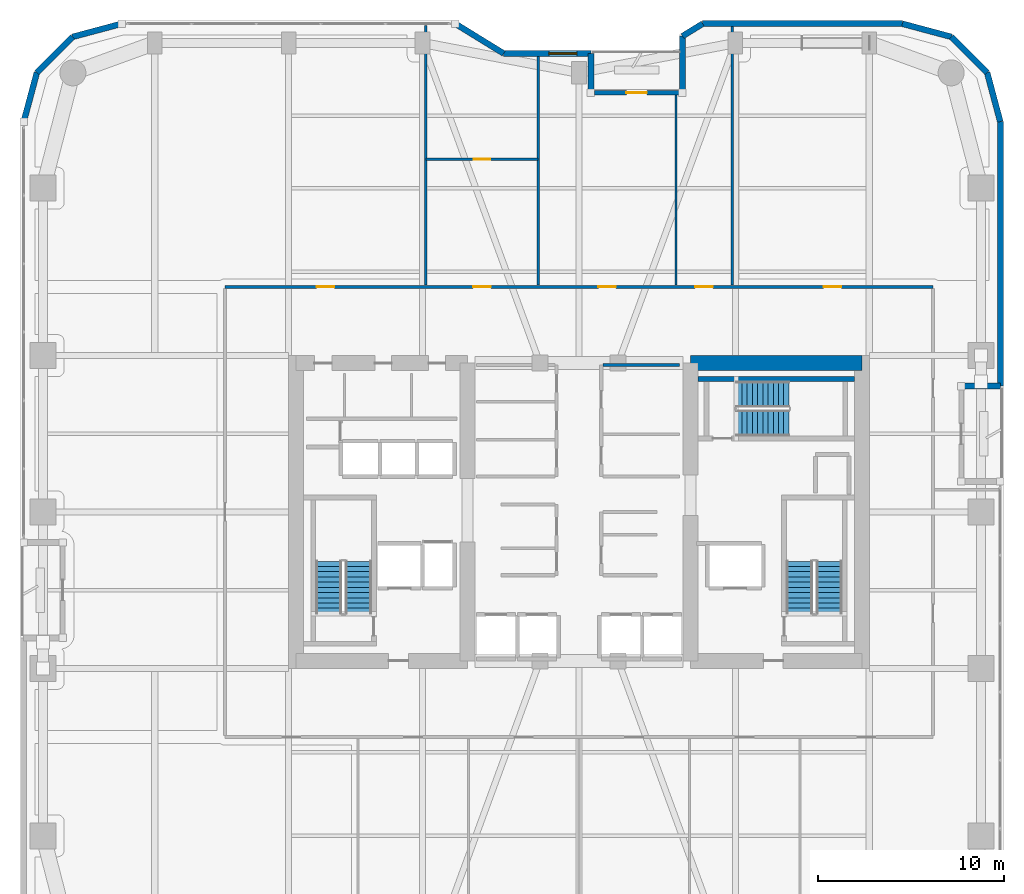
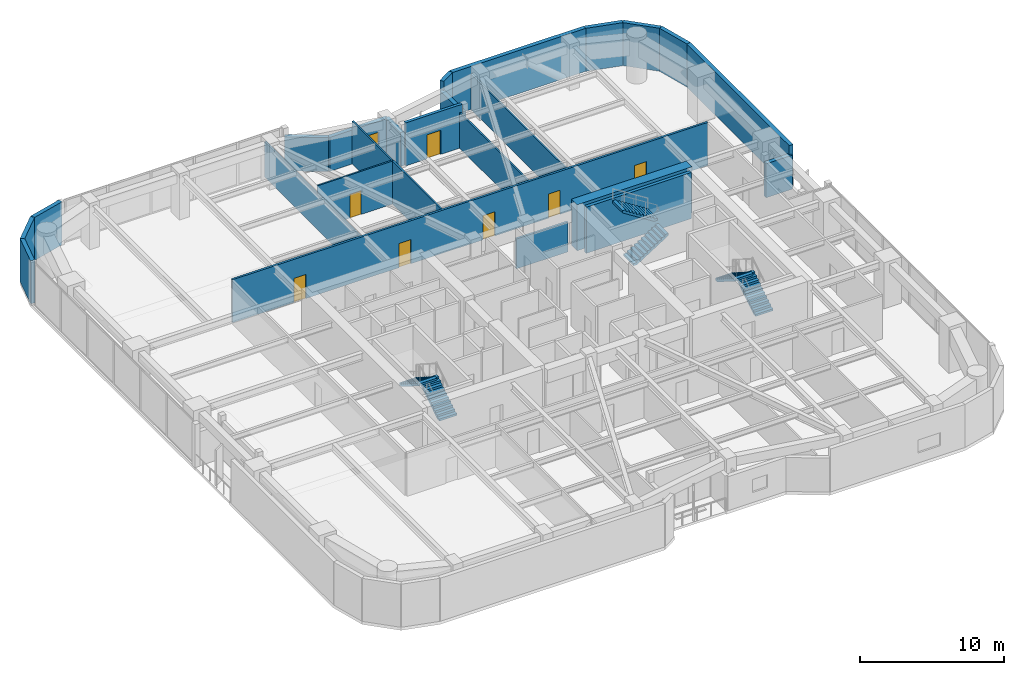
# One storey, part 21 of 24: 24 walls, 7 doors, 6 stair flights, 1 window, 8 openings, 3 elements without a shape of their own.
"""IFC4 building model written with IfcOpenShell, lengths in metres."""

from ifc_helpers import new_model, si_unit, direction, frame, frame_2d, origin, place, context, subcontext, project, spatial, polyline, rectangle, outline, extrude, material, layer, layer_set, type_object, element, fill, aggregate, save


model = new_model("IFC4")

# Units and contexts
model_context = context("Model", 3, precision=1e-05, world=origin(), true_north=direction((0.0, 1.0)))
body_context = subcontext(model_context, "Body", "Model", "MODEL_VIEW")
ifc_project = project(units=[si_unit("LENGTHUNIT", "METRE"), si_unit("AREAUNIT", "SQUARE_METRE"), si_unit("VOLUMEUNIT", "CUBIC_METRE"), si_unit("PLANEANGLEUNIT", "RADIAN"), si_unit("MASSUNIT", "GRAM", prefix="KILO")], contexts=[model_context])

# Site, building, storey
site_placement = place(None, origin())
site = spatial("IfcSite", under=ifc_project, at=site_placement, CompositionType="ELEMENT")
building_placement = place(site_placement, origin())
building = spatial("IfcBuilding", under=site, at=building_placement, Name="Kiyonajd Concourse Tower", CompositionType="ELEMENT")
storey_placement = place(building_placement, frame((0.0, 0.0, 97.5)))
storey = spatial("IfcBuildingStorey", under=building, at=storey_placement, Name="L25", CompositionType="ELEMENT", Elevation=97.5)

# Walls
ifc_material_1 = material(Name="Concrete C70/85", Category="concrete")
ifc_layer_1 = layer(ifc_material_1, 0.800048828125)
ifc_layer_set_1 = layer_set([ifc_layer_1], Name="Concrete C70/85")
wall_type_1 = type_object("IfcWallType", Name="WL-CORE-800", PredefinedType="SHEAR", material=ifc_layer_set_1)
wall_1_placement = place(storey_placement, frame((54.0, 44.0, 0.0), z_axis=(0.0, 0.0, 1.0), x_axis=(1.0, 0.0, 0.0)))
element("IfcWall", 1, at=wall_1_placement, inside=storey, type_object=wall_type_1, Name="L25 East Core North Shear Wall", PredefinedType="SHEAR", context=body_context, shape_type="SweptSolid", body=[
    extrude(rectangle(XDim=9.199951171875, YDim=0.800048828125, at=frame_2d((4.60009765625, 0.0))), origin(), (0.0, 0.0, 1.0), 3.89990234375),
])
ifc_material_2 = material(Name="Precast concrete C50/60", Category="concrete")
ifc_layer_2 = layer(ifc_material_2, 0.320068359375)
ifc_layer_set_2 = layer_set([ifc_layer_2], Name="Precast concrete C50/60")
wall_type_2 = type_object("IfcWallType", Name="WL-EXT-320", PredefinedType="SOLIDWALL", material=ifc_layer_set_2)
wall_2_placement = place(storey_placement, frame((18.159912109375, 56.97900390625, 0.0), z_axis=(0.0, 0.0, 1.0), x_axis=(0.25869736047, 0.965958423373, 0.0)))
element("IfcWall", 2, at=wall_2_placement, inside=storey, type_object=wall_type_2, Name="L25 Exterior Concrete Frame Wall 06", PredefinedType="SOLIDWALL", context=body_context, shape_type="SweptSolid", body=[
    extrude(rectangle(XDim=2.731201171875, YDim=0.320068359375, at=frame_2d((1.36572265625, 0.0))), origin(), (0.0, 0.0, 1.0), 3.639892578125),
])
wall_3_placement = place(storey_placement, frame((18.866455078125, 59.6171875, 0.0), z_axis=(0.0, 0.0, 1.0), x_axis=(0.707106781187, 0.707106781187, 0.0)))
element("IfcWall", 3, at=wall_3_placement, inside=storey, type_object=wall_type_2, Name="L25 Exterior Concrete Frame Wall 07", PredefinedType="SOLIDWALL", context=body_context, shape_type="SweptSolid", body=[
    extrude(rectangle(XDim=2.7099609375, YDim=0.320068359375, at=frame_2d((1.35498046875, 0.0))), origin(), (0.0, 0.0, 1.0), 3.639892578125),
])
wall_4_placement = place(storey_placement, frame((20.78271484375, 61.533447265625, 0.0), z_axis=(0.0, 0.0, 1.0), x_axis=(0.965964405026, 0.25867502435, 0.0)))
element("IfcWall", 4, at=wall_4_placement, inside=storey, type_object=wall_type_2, Name="L25 Exterior Concrete Frame Wall 08", PredefinedType="SOLIDWALL", context=body_context, shape_type="SweptSolid", body=[
    extrude(rectangle(XDim=2.7314453125, YDim=0.320068359375, at=frame_2d((1.36572265625, 0.0))), origin(), (0.0, 0.0, 1.0), 3.639892578125),
])
wall_5_placement = place(storey_placement, frame((41.354736328125, 62.239990234375, 0.0), z_axis=(0.0, 0.0, 1.0), x_axis=(0.851630857047, -0.524142044989, 0.0)))
element("IfcWall", 5, at=wall_5_placement, inside=storey, type_object=wall_type_2, Name="L25 Exterior Concrete Frame Wall 10", PredefinedType="SOLIDWALL", context=body_context, shape_type="SweptSolid", body=[
    extrude(rectangle(XDim=3.052734375, YDim=0.320068359375, at=frame_2d((1.5263671875, 0.0))), origin(), (0.0, 0.0, 1.0), 2.875),
])

# Wall, opening, window
wall_6_placement = place(storey_placement, frame((43.95458984375, 60.639892578125, 0.0), z_axis=(0.0, 0.0, 1.0), x_axis=(1.0, 0.0, 0.0)))
wall_6 = element("IfcWall", 6, at=wall_6_placement, inside=storey, type_object=wall_type_2, Name="L25 Exterior Concrete Frame Wall 11", PredefinedType="SOLIDWALL", context=body_context, shape_type="SweptSolid", body=[
    extrude(rectangle(XDim=4.685302734375, YDim=0.320068359375, at=frame_2d((2.3427734375, 0.0))), origin(), (0.0, 0.0, 1.0), 2.875),
])
opening_1_placement = place(wall_6_placement, frame((2.425048828125, 0.0, 0.85009765625)))
opening_1 = element("IfcOpeningElement", 7, at=opening_1_placement, cuts=wall_6, Name="Opening WN2", PredefinedType="OPENING", context=body_context, shape_type="SweptSolid", body=[
    extrude(rectangle(XDim=1.5, YDim=1.10009765625, at=frame_2d((0.75, 0.550048828125))), frame((0.0, 0.169921875, 0.0), z_axis=(0.0, -1.0, 0.0), x_axis=(1.0, 0.0, 0.0)), (0.0, 0.0, 1.0), 0.340087890625),
])
ifc_material_3 = material(Name="Double Low-E Insulated Glass", Category="glass")
window_type = type_object("IfcWindowType", Name="WN-VIS-1500x1100", PartitioningType="SINGLE_PANEL", PredefinedType="WINDOW", material=ifc_material_3)
window_placement = place(opening_1_placement, origin())
window = element("IfcWindow", 8, at=window_placement, inside=storey, type_object=window_type, Name="L25 Modular Facade Vision Window 11", OverallHeight=1.10009765625, OverallWidth=1.5, PartitioningType="SINGLE_PANEL", PredefinedType="WINDOW", context=body_context, shape_type="SweptSolid", body=[
    extrude(rectangle(XDim=1.5, YDim=1.10009765625, at=frame_2d((0.75, 0.550048828125))), frame((0.0, 0.030029296875, 0.0), z_axis=(0.0, -1.0, 0.0), x_axis=(1.0, 0.0, 0.0)), (0.0, 0.0, 1.0), 0.06005859375),
])
fill(opening_1, window)

# Walls
wall_7_placement = place(storey_placement, frame((48.639892578125, 60.639892578125, 0.0), z_axis=(0.0, 0.0, 1.0), x_axis=(0.0, -1.0, 0.0)))
element("IfcWall", 9, at=wall_7_placement, inside=storey, type_object=wall_type_2, Name="L25 Exterior Concrete Frame Wall 12", PredefinedType="SOLIDWALL", context=body_context, shape_type="SweptSolid", body=[
    extrude(rectangle(XDim=2.099853515625, YDim=0.320068359375, at=frame_2d((1.0498046875, 0.0))), origin(), (0.0, 0.0, 1.0), 2.875),
])
wall_8_placement = place(storey_placement, frame((53.56005859375, 58.5400390625, 0.0), z_axis=(0.0, 0.0, 1.0), x_axis=(0.0, 1.0, 0.0)))
element("IfcWall", 10, at=wall_8_placement, inside=storey, type_object=wall_type_2, Name="L25 Exterior Concrete Frame Wall 14", PredefinedType="SOLIDWALL", context=body_context, shape_type="SweptSolid", body=[
    extrude(rectangle(XDim=3.032470703125, YDim=0.320068359375, at=frame_2d((1.51611328125, 0.0))), origin(), (0.0, 0.0, 1.0), 2.875),
])
wall_9_placement = place(storey_placement, frame((53.56005859375, 61.572509765625, 0.0), z_axis=(0.0, 0.0, 1.0), x_axis=(0.851776724646, 0.523904964045, 0.0)))
element("IfcWall", 11, at=wall_9_placement, inside=storey, type_object=wall_type_2, Name="L25 Exterior Concrete Frame Wall 15", PredefinedType="SOLIDWALL", context=body_context, shape_type="SweptSolid", body=[
    extrude(rectangle(XDim=1.274169921875, YDim=0.320068359375, at=frame_2d((0.63720703125, 0.0))), origin(), (0.0, 0.0, 1.0), 3.639892578125),
])
wall_10_placement = place(storey_placement, frame((54.645263671875, 62.239990234375, 0.0), z_axis=(0.0, 0.0, 1.0), x_axis=(1.0, 0.0, 0.0)))
element("IfcWall", 12, at=wall_10_placement, inside=storey, type_object=wall_type_2, Name="L25 Exterior Concrete Frame Wall 16", PredefinedType="SOLIDWALL", context=body_context, shape_type="SweptSolid", body=[
    extrude(rectangle(XDim=10.733642578125, YDim=0.320068359375, at=frame_2d((5.36669921875, 0.0))), origin(), (0.0, 0.0, 1.0), 3.639892578125),
])
wall_11_placement = place(storey_placement, frame((65.37890625, 62.239990234375, 0.0), z_axis=(0.0, 0.0, 1.0), x_axis=(0.965958423373, -0.25869736047, 0.0)))
element("IfcWall", 13, at=wall_11_placement, inside=storey, type_object=wall_type_2, Name="L25 Exterior Concrete Frame Wall 17", PredefinedType="SOLIDWALL", context=body_context, shape_type="SweptSolid", body=[
    extrude(rectangle(XDim=2.731201171875, YDim=0.320068359375, at=frame_2d((1.36572265625, 0.0))), origin(), (0.0, 0.0, 1.0), 3.639892578125),
])
wall_12_placement = place(storey_placement, frame((68.01708984375, 61.533447265625, 0.0), z_axis=(0.0, 0.0, 1.0), x_axis=(0.707151821269, -0.707061738235, 0.0)))
element("IfcWall", 14, at=wall_12_placement, inside=storey, type_object=wall_type_2, Name="L25 Exterior Concrete Frame Wall 18", PredefinedType="SOLIDWALL", context=body_context, shape_type="SweptSolid", body=[
    extrude(rectangle(XDim=2.710205078125, YDim=0.320068359375, at=frame_2d((1.35498046875, 0.0))), origin(), (0.0, 0.0, 1.0), 3.639892578125),
])
wall_13_placement = place(storey_placement, frame((69.93359375, 59.6171875, 0.0), z_axis=(0.0, 0.0, 1.0), x_axis=(0.258613949072, -0.965980758269, 0.0)))
element("IfcWall", 15, at=wall_13_placement, inside=storey, type_object=wall_type_2, Name="L25 Exterior Concrete Frame Wall 19", PredefinedType="SOLIDWALL", context=body_context, shape_type="SweptSolid", body=[
    extrude(rectangle(XDim=2.731201171875, YDim=0.320068359375, at=frame_2d((1.36572265625, 0.0))), origin(), (0.0, 0.0, 1.0), 3.639892578125),
])
wall_14_placement = place(storey_placement, frame((70.639892578125, 56.97900390625, 0.0), z_axis=(0.0, 0.0, 1.0), x_axis=(0.0, -1.0, 0.0)))
element("IfcWall", 16, at=wall_14_placement, inside=storey, type_object=wall_type_2, Name="L25 Exterior Concrete Frame Wall 20", PredefinedType="SOLIDWALL", context=body_context, shape_type="SweptSolid", body=[
    extrude(rectangle(XDim=14.218994140625, YDim=0.320068359375, at=frame_2d((7.109375, 0.0))), origin(), (0.0, 0.0, 1.0), 3.639892578125),
])
wall_15_placement = place(storey_placement, frame((70.639892578125, 42.760009765625, 0.0), z_axis=(0.0, 0.0, 1.0), x_axis=(-1.0, 0.0, 0.0)))
element("IfcWall", 17, at=wall_15_placement, inside=storey, type_object=wall_type_2, Name="L25 Exterior Concrete Frame Wall 21", PredefinedType="SOLIDWALL", context=body_context, shape_type="SweptSolid", body=[
    extrude(rectangle(XDim=2.099853515625, YDim=0.320068359375, at=frame_2d((1.0498046875, 0.0))), origin(), (0.0, 0.0, 1.0), 2.875),
])

# Wall, opening, door
ifc_layer_3 = layer(ifc_material_2, 0.239990234375)
ifc_layer_set_3 = layer_set([ifc_layer_3], Name="Precast concrete C50/60")
wall_type_3 = type_object("IfcWallType", Name="WL-LOG-240", PredefinedType="SOLIDWALL", material=ifc_layer_set_3)
wall_16_placement = place(storey_placement, frame((48.8349609375, 58.5400390625, 0.0), z_axis=(0.0, 0.0, 1.0), x_axis=(1.0, 0.0, 0.0)))
wall_16 = element("IfcWall", 18, at=wall_16_placement, inside=storey, type_object=wall_type_3, Name="L25 Recessed Loggia Thermal Wall LOG-N", PredefinedType="SOLIDWALL", context=body_context, shape_type="SweptSolid", body=[
    extrude(rectangle(XDim=4.530029296875, YDim=0.239990234375, at=frame_2d((2.26513671875, 0.0))), origin(), (0.0, 0.0, 1.0), 3.639892578125),
])
opening_2_placement = place(wall_16_placement, frame((1.715087890625, 0.0, 0.0)))
opening_2 = element("IfcOpeningElement", 19, at=opening_2_placement, cuts=wall_16, Name="Opening DL2", PredefinedType="OPENING", context=body_context, shape_type="SweptSolid", body=[
    extrude(rectangle(XDim=1.10009765625, YDim=2.0400390625, at=frame_2d((0.550048828125, 1.02001953125))), frame((0.0, 0.1298828125, 0.0), z_axis=(0.0, -1.0, 0.0), x_axis=(1.0, 0.0, 0.0)), (0.0, 0.0, 1.0), 0.260009765625),
])
ifc_material_4 = material(Name="Thermally Broken Anodised Aluminium", Category="aluminium")
door_type_1 = type_object("IfcDoorType", Name="DR-LOG-1100", OperationType="NOTDEFINED", PredefinedType="DOOR", material=ifc_material_4)
door_1_placement = place(opening_2_placement, origin())
door_1 = element("IfcDoor", 20, at=door_1_placement, inside=storey, type_object=door_type_1, Name="L25 Engawa Loggia Access Door LOG-N", OperationType="SINGLE_SWING_RIGHT", OverallHeight=2.0400390625, OverallWidth=1.10009765625, PredefinedType="DOOR", context=body_context, shape_type="SweptSolid", body=[
    extrude(rectangle(XDim=1.10009765625, YDim=2.0400390625, at=frame_2d((0.550048828125, 1.02001953125))), frame((0.0, 0.02490234375, 0.0), z_axis=(0.0, -1.0, 0.0), x_axis=(1.0, 0.0, 0.0)), (0.0, 0.0, 1.0), 0.050048828125),
])
fill(opening_2, door_1)

ifc_material_5 = material(Name="Gypsum Board on Cold-Formed Steel Stud", Category="steel")
ifc_layer_4 = layer(ifc_material_5, 0.125)
ifc_layer_set_4 = layer_set([ifc_layer_4], Name="Gypsum Board on Cold-Formed Steel Stud")
wall_type_4 = type_object("IfcWallType", Name="WL-PART-125", PredefinedType="PARTITIONING", material=ifc_layer_set_4)
wall_17_placement = place(storey_placement, frame((39.77001953125, 54.9599609375, 0.0), z_axis=(0.0, 0.0, 1.0), x_axis=(1.0, 0.0, 0.0)))
wall_17 = element("IfcWall", 21, at=wall_17_placement, inside=storey, type_object=wall_type_4, Name="L25 Interior Partition Wall", PredefinedType="PARTITIONING", context=body_context, shape_type="SweptSolid", body=[
    extrude(rectangle(XDim=6.0400390625, YDim=0.125, at=frame_2d((3.02001953125, 0.0))), origin(), (0.0, 0.0, 1.0), 3.639892578125),
])
opening_3_placement = place(wall_17_placement, frame((2.570068359375, 0.0, 0.0)))
opening_3 = element("IfcOpeningElement", 22, at=opening_3_placement, cuts=wall_17, Name="Opening DI2", PredefinedType="OPENING", context=body_context, shape_type="SweptSolid", body=[
    extrude(rectangle(XDim=0.89990234375, YDim=2.02001953125, at=frame_2d((0.449951171875, 1.010009765625))), frame((0.0, 0.072509765625, 0.0), z_axis=(0.0, -1.0, 0.0), x_axis=(1.0, 0.0, 0.0)), (0.0, 0.0, 1.0), 0.14501953125),
])
ifc_material_6 = material(Name="Natural Oak Acoustic Timber Veneer", Category="wood")
door_type_2 = type_object("IfcDoorType", Name="DR-INT-900", OperationType="NOTDEFINED", PredefinedType="DOOR", material=ifc_material_6)
door_2_placement = place(opening_3_placement, origin())
door_2 = element("IfcDoor", 23, at=door_2_placement, inside=storey, type_object=door_type_2, Name="L25 Interior Door", OperationType="SINGLE_SWING_LEFT", OverallHeight=2.02001953125, OverallWidth=0.89990234375, PredefinedType="DOOR", context=body_context, shape_type="SweptSolid", body=[
    extrude(rectangle(XDim=0.89990234375, YDim=2.02001953125, at=frame_2d((0.449951171875, 1.010009765625))), frame((0.0, 0.02490234375, 0.0), z_axis=(0.0, -1.0, 0.0), x_axis=(1.0, 0.0, 0.0)), (0.0, 0.0, 1.0), 0.050048828125),
])
fill(opening_3, door_2)

# Walls
wall_18_placement = place(storey_placement, frame((39.77001953125, 48.18701171875, 0.0), z_axis=(0.0, 0.0, 1.0), x_axis=(0.0, 1.0, 0.0)))
element("IfcWall", 24, at=wall_18_placement, inside=storey, type_object=wall_type_4, Name="L25 Interior Partition Wall", PredefinedType="PARTITIONING", context=body_context, shape_type="SweptSolid", body=[
    extrude(rectangle(XDim=13.968017578125, YDim=0.125, at=frame_2d((6.98388671875, 0.0))), origin(), (0.0, 0.0, 1.0), 3.0029296875),
])
wall_19_placement = place(storey_placement, frame((45.81005859375, 48.18701171875, 0.0), z_axis=(0.0, 0.0, 1.0), x_axis=(0.0, 1.0, 0.0)))
element("IfcWall", 25, at=wall_19_placement, inside=storey, type_object=wall_type_4, Name="L25 Interior Partition Wall", PredefinedType="PARTITIONING", context=body_context, shape_type="SweptSolid", body=[
    extrude(rectangle(XDim=12.298095703125, YDim=0.125, at=frame_2d((6.14892578125, 0.0))), origin(), (0.0, 0.0, 1.0), 3.639892578125),
])
wall_20_placement = place(storey_placement, frame((53.2099609375, 48.18701171875, 0.0), z_axis=(0.0, 0.0, 1.0), x_axis=(0.0, 1.0, 0.0)))
element("IfcWall", 26, at=wall_20_placement, inside=storey, type_object=wall_type_4, Name="L25 Interior Partition Wall", PredefinedType="PARTITIONING", context=body_context, shape_type="SweptSolid", body=[
    extrude(rectangle(XDim=10.238037109375, YDim=0.125, at=frame_2d((5.119140625, 0.0))), origin(), (0.0, 0.0, 1.0), 3.0029296875),
])
wall_21_placement = place(storey_placement, frame((56.22998046875, 48.18701171875, 0.0), z_axis=(0.0, 0.0, 1.0), x_axis=(0.0, 1.0, 0.0)))
element("IfcWall", 27, at=wall_21_placement, inside=storey, type_object=wall_type_4, Name="L25 Interior Partition Wall", PredefinedType="PARTITIONING", context=body_context, shape_type="SweptSolid", body=[
    extrude(rectangle(XDim=13.89794921875, YDim=0.125, at=frame_2d((6.948974609375, 0.0))), origin(), (0.0, 0.0, 1.0), 3.0029296875),
])
ifc_layer_5 = layer(ifc_material_5, 0.169921875)
ifc_layer_set_5 = layer_set([ifc_layer_5], Name="Gypsum Board on Cold-Formed Steel Stud")
wall_type_5 = type_object("IfcWallType", Name="WL-SMK-170", PredefinedType="PARTITIONING", material=ifc_layer_set_5)
wall_22_placement = place(storey_placement, frame((49.287109375, 43.89990234375, 0.0), z_axis=(0.0, 0.0, 1.0), x_axis=(1.0, 0.0, 0.0)))
element("IfcWall", 28, at=wall_22_placement, inside=storey, type_object=wall_type_5, Name="L25 Interior Partition Wall", PredefinedType="PARTITIONING", context=body_context, shape_type="SweptSolid", body=[
    extrude(rectangle(XDim=4.11279296875, YDim=0.169921875, at=frame_2d((2.056396484375, 0.0))), origin(), (0.0, 0.0, 1.0), 2.52490234375),
])

# Wall, openings, doors
wall_23_placement = place(storey_placement, frame((28.97509765625, 48.10009765625, 0.0), z_axis=(0.0, 0.0, 1.0), x_axis=(1.0, 0.0, 0.0)))
wall_23 = element("IfcWall", 29, at=wall_23_placement, inside=storey, type_object=wall_type_5, Name="L25 Interior Partition Wall", PredefinedType="PARTITIONING", context=body_context, shape_type="SweptSolid", body=[
    extrude(rectangle(XDim=38.0498046875, YDim=0.169921875, at=frame_2d((19.02490234375, 0.0))), origin(), (0.0, 0.0, 1.0), 3.639892578125),
])
opening_4_placement = place(wall_23_placement, frame((4.923095703125, 0.0, 0.0)))
opening_4 = element("IfcOpeningElement", 30, at=opening_4_placement, cuts=wall_23, Name="Opening DI1", PredefinedType="OPENING", context=body_context, shape_type="SweptSolid", body=[
    extrude(rectangle(XDim=0.949951171875, YDim=2.0400390625, at=frame_2d((0.47509765625, 1.02001953125))), frame((0.0, 0.094970703125, 0.0), z_axis=(0.0, -1.0, 0.0), x_axis=(1.0, 0.0, 0.0)), (0.0, 0.0, 1.0), 0.18994140625),
])
opening_5_placement = place(wall_23_placement, frame((13.340087890625, 0.0, 0.0)))
opening_5 = element("IfcOpeningElement", 31, at=opening_5_placement, cuts=wall_23, Name="Opening DI1", PredefinedType="OPENING", context=body_context, shape_type="SweptSolid", body=[
    extrude(rectangle(XDim=0.949951171875, YDim=2.0400390625, at=frame_2d((0.47509765625, 1.02001953125))), frame((0.0, 0.094970703125, 0.0), z_axis=(0.0, -1.0, 0.0), x_axis=(1.0, 0.0, 0.0)), (0.0, 0.0, 1.0), 0.18994140625),
])
opening_6_placement = place(wall_23_placement, frame((20.06005859375, 0.0, 0.0)))
opening_6 = element("IfcOpeningElement", 32, at=opening_6_placement, cuts=wall_23, Name="Opening DI1", PredefinedType="OPENING", context=body_context, shape_type="SweptSolid", body=[
    extrude(rectangle(XDim=0.949951171875, YDim=2.0400390625, at=frame_2d((0.47509765625, 1.02001953125))), frame((0.0, 0.094970703125, 0.0), z_axis=(0.0, -1.0, 0.0), x_axis=(1.0, 0.0, 0.0)), (0.0, 0.0, 1.0), 0.18994140625),
])
opening_7_placement = place(wall_23_placement, frame((25.27001953125, 0.0, 0.0)))
opening_7 = element("IfcOpeningElement", 33, at=opening_7_placement, cuts=wall_23, Name="Opening DI1", PredefinedType="OPENING", context=body_context, shape_type="SweptSolid", body=[
    extrude(rectangle(XDim=0.949951171875, YDim=2.0400390625, at=frame_2d((0.47509765625, 1.02001953125))), frame((0.0, 0.094970703125, 0.0), z_axis=(0.0, -1.0, 0.0), x_axis=(1.0, 0.0, 0.0)), (0.0, 0.0, 1.0), 0.18994140625),
])
opening_8_placement = place(wall_23_placement, frame((32.177978515625, 0.0, 0.0)))
opening_8 = element("IfcOpeningElement", 34, at=opening_8_placement, cuts=wall_23, Name="Opening DI1", PredefinedType="OPENING", context=body_context, shape_type="SweptSolid", body=[
    extrude(rectangle(XDim=0.949951171875, YDim=2.0400390625, at=frame_2d((0.47509765625, 1.02001953125))), frame((0.0, 0.094970703125, 0.0), z_axis=(0.0, -1.0, 0.0), x_axis=(1.0, 0.0, 0.0)), (0.0, 0.0, 1.0), 0.18994140625),
])
door_type_3 = type_object("IfcDoorType", Name="DR-INT-950", OperationType="NOTDEFINED", PredefinedType="DOOR", material=ifc_material_6)
door_3_placement = place(opening_4_placement, origin())
door_3 = element("IfcDoor", 35, at=door_3_placement, inside=storey, type_object=door_type_3, Name="L25 Interior Door", OperationType="SINGLE_SWING_RIGHT", OverallHeight=2.0400390625, OverallWidth=0.949951171875, PredefinedType="DOOR", context=body_context, shape_type="SweptSolid", body=[
    extrude(rectangle(XDim=0.949951171875, YDim=2.0400390625, at=frame_2d((0.47509765625, 1.02001953125))), frame((0.0, 0.02490234375, 0.0), z_axis=(0.0, -1.0, 0.0), x_axis=(1.0, 0.0, 0.0)), (0.0, 0.0, 1.0), 0.050048828125),
])
fill(opening_4, door_3)
door_4_placement = place(opening_5_placement, origin())
door_4 = element("IfcDoor", 36, at=door_4_placement, inside=storey, type_object=door_type_3, Name="L25 Interior Door", OperationType="SINGLE_SWING_RIGHT", OverallHeight=2.0400390625, OverallWidth=0.949951171875, PredefinedType="DOOR", context=body_context, shape_type="SweptSolid", body=[
    extrude(rectangle(XDim=0.949951171875, YDim=2.0400390625, at=frame_2d((0.47509765625, 1.02001953125))), frame((0.0, 0.02490234375, 0.0), z_axis=(0.0, -1.0, 0.0), x_axis=(1.0, 0.0, 0.0)), (0.0, 0.0, 1.0), 0.050048828125),
])
fill(opening_5, door_4)
door_5_placement = place(opening_6_placement, origin())
door_5 = element("IfcDoor", 37, at=door_5_placement, inside=storey, type_object=door_type_3, Name="L25 Interior Door", OperationType="SINGLE_SWING_LEFT", OverallHeight=2.0400390625, OverallWidth=0.949951171875, PredefinedType="DOOR", context=body_context, shape_type="SweptSolid", body=[
    extrude(rectangle(XDim=0.949951171875, YDim=2.0400390625, at=frame_2d((0.47509765625, 1.02001953125))), frame((0.0, 0.02490234375, 0.0), z_axis=(0.0, -1.0, 0.0), x_axis=(1.0, 0.0, 0.0)), (0.0, 0.0, 1.0), 0.050048828125),
])
fill(opening_6, door_5)
door_6_placement = place(opening_7_placement, origin())
door_6 = element("IfcDoor", 38, at=door_6_placement, inside=storey, type_object=door_type_3, Name="L25 Interior Door", OperationType="SINGLE_SWING_RIGHT", OverallHeight=2.0400390625, OverallWidth=0.949951171875, PredefinedType="DOOR", context=body_context, shape_type="SweptSolid", body=[
    extrude(rectangle(XDim=0.949951171875, YDim=2.0400390625, at=frame_2d((0.47509765625, 1.02001953125))), frame((0.0, 0.02490234375, 0.0), z_axis=(0.0, -1.0, 0.0), x_axis=(1.0, 0.0, 0.0)), (0.0, 0.0, 1.0), 0.050048828125),
])
fill(opening_7, door_6)
door_7_placement = place(opening_8_placement, origin())
door_7 = element("IfcDoor", 39, at=door_7_placement, inside=storey, type_object=door_type_3, Name="L25 Interior Door", OperationType="SINGLE_SWING_LEFT", OverallHeight=2.0400390625, OverallWidth=0.949951171875, PredefinedType="DOOR", context=body_context, shape_type="SweptSolid", body=[
    extrude(rectangle(XDim=0.949951171875, YDim=2.0400390625, at=frame_2d((0.47509765625, 1.02001953125))), frame((0.0, 0.02490234375, 0.0), z_axis=(0.0, -1.0, 0.0), x_axis=(1.0, 0.0, 0.0)), (0.0, 0.0, 1.0), 0.050048828125),
])
fill(opening_8, door_7)

# Wall
ifc_material_7 = material(Name="Concrete C50/60", Category="concrete")
ifc_layer_6 = layer(ifc_material_7, 0.260009765625)
ifc_layer_set_6 = layer_set([ifc_layer_6], Name="Concrete C50/60")
wall_type_6 = type_object("IfcWallType", Name="WL-STAIR-260", PredefinedType="SHEAR", material=ifc_layer_set_6)
wall_24_placement = place(storey_placement, frame((54.39990234375, 43.14990234375, 0.0), z_axis=(0.0, 0.0, 1.0), x_axis=(1.0, 0.0, 0.0)))
element("IfcWall", 40, at=wall_24_placement, inside=storey, type_object=wall_type_6, Name="L25 Stair ST3 Structural North Wall", PredefinedType="SHEAR", context=body_context, shape_type="SweptSolid", body=[
    extrude(rectangle(XDim=8.400146484375, YDim=0.260009765625, at=frame_2d((4.2001953125, 0.0))), origin(), (0.0, 0.0, 1.0), 3.89990234375),
])

# Stair, stair flights
ifc_material_8 = material(Name="Concrete C40/50", Category="concrete")
stair_type = type_object("IfcStairType", Name="ST-DLG-22R", PredefinedType="HALF_TURN_STAIR", material=ifc_material_8)
stair_1_placement = place(storey_placement, origin())
stair_1 = element("IfcStair", 41, at=stair_1_placement, inside=storey, type_object=stair_type, Name="L25 Protected Exit Stair ST1", PredefinedType="HALF_TURN_STAIR")
stair_flight_type = type_object("IfcStairFlightType", Name="SF-STR-22R", PredefinedType="STRAIGHT", material=ifc_material_8)
stair_flight_1_placement = place(storey_placement, frame((36.14990234375, 30.550048828125, 0.0), z_axis=(0.0, 0.0, 1.0), x_axis=(0.0, 1.0, 0.0)))
stair_flight_1 = element("IfcStairFlight", 42, at=stair_flight_1_placement, type_object=stair_flight_type, Name="ST1 flight 1", NumberOfRisers=11, NumberOfTreads=10, PredefinedType="STRAIGHT", RiserHeight=0.177272727, TreadLength=0.28, context=body_context, shape_type="SweptSolid", body=[
    extrude(outline(polyline([(0.0, 0.0), (0.0, 0.17724609375), (0.280029296875, 0.17724609375), (0.280029296875, 0.3544921875), (0.56005859375, 0.3544921875), (0.56005859375, 0.53173828125), (0.840087890625, 0.53173828125), (0.840087890625, 0.708984375), (1.1201171875, 0.708984375), (1.1201171875, 0.886474609375), (1.39990234375, 0.886474609375), (1.39990234375, 1.063720703125), (1.679931640625, 1.063720703125), (1.679931640625, 1.240966796875), (1.9599609375, 1.240966796875), (1.9599609375, 1.418212890625), (2.239990234375, 1.418212890625), (2.239990234375, 1.595458984375), (2.52001953125, 1.595458984375), (2.52001953125, 1.772705078125), (2.800048828125, 1.772705078125), (2.800048828125, 1.949951171875), (2.800048828125, 1.59521484375), (0.2802734375, 0.0), (0.0, 0.0)])), frame((0.0, 0.699951171875, 0.0), z_axis=(0.0, -1.0, 0.0), x_axis=(1.0, 0.0, 0.0)), (0.0, 0.0, 1.0), 1.39990234375),
])
stair_flight_2_placement = place(storey_placement, frame((34.550048828125, 33.35009765625, 1.949951171875), z_axis=(0.0, 0.0, 1.0), x_axis=(0.0, -1.0, 0.0)))
stair_flight_2 = element("IfcStairFlight", 43, at=stair_flight_2_placement, type_object=stair_flight_type, Name="ST1 flight 2", NumberOfRisers=11, NumberOfTreads=10, PredefinedType="STRAIGHT", RiserHeight=0.177272727, TreadLength=0.28, context=body_context, shape_type="SweptSolid", body=[
    extrude(outline(polyline([(0.0, 0.0), (0.0, 0.17724609375), (0.280029296875, 0.17724609375), (0.280029296875, 0.3544921875), (0.56005859375, 0.3544921875), (0.56005859375, 0.53173828125), (0.840087890625, 0.53173828125), (0.840087890625, 0.708984375), (1.1201171875, 0.708984375), (1.1201171875, 0.886474609375), (1.39990234375, 0.886474609375), (1.39990234375, 1.063720703125), (1.679931640625, 1.063720703125), (1.679931640625, 1.240966796875), (1.9599609375, 1.240966796875), (1.9599609375, 1.418212890625), (2.239990234375, 1.418212890625), (2.239990234375, 1.595458984375), (2.52001953125, 1.595458984375), (2.52001953125, 1.772705078125), (2.800048828125, 1.772705078125), (2.800048828125, 1.949951171875), (2.800048828125, 1.59521484375), (0.2802734375, 0.0), (0.0, 0.0)])), frame((0.0, 0.699951171875, 0.0), z_axis=(0.0, -1.0, 0.0), x_axis=(1.0, 0.0, 0.0)), (0.0, 0.0, 1.0), 1.39990234375),
])
aggregate(stair_1, [stair_flight_1, stair_flight_2])

stair_2_placement = place(storey_placement, origin())
stair_2 = element("IfcStair", 44, at=stair_2_placement, inside=storey, type_object=stair_type, Name="L25 Protected Exit Stair ST2", PredefinedType="HALF_TURN_STAIR")
stair_flight_3_placement = place(storey_placement, frame((61.449951171875, 30.550048828125, 0.0), z_axis=(0.0, 0.0, 1.0), x_axis=(0.0, 1.0, 0.0)))
stair_flight_3 = element("IfcStairFlight", 45, at=stair_flight_3_placement, type_object=stair_flight_type, Name="ST2 flight 1", NumberOfRisers=11, NumberOfTreads=10, PredefinedType="STRAIGHT", RiserHeight=0.177272727, TreadLength=0.28, context=body_context, shape_type="SweptSolid", body=[
    extrude(outline(polyline([(0.0, 0.0), (0.0, 0.17724609375), (0.280029296875, 0.17724609375), (0.280029296875, 0.3544921875), (0.56005859375, 0.3544921875), (0.56005859375, 0.53173828125), (0.840087890625, 0.53173828125), (0.840087890625, 0.708984375), (1.1201171875, 0.708984375), (1.1201171875, 0.886474609375), (1.39990234375, 0.886474609375), (1.39990234375, 1.063720703125), (1.679931640625, 1.063720703125), (1.679931640625, 1.240966796875), (1.9599609375, 1.240966796875), (1.9599609375, 1.418212890625), (2.239990234375, 1.418212890625), (2.239990234375, 1.595458984375), (2.52001953125, 1.595458984375), (2.52001953125, 1.772705078125), (2.800048828125, 1.772705078125), (2.800048828125, 1.949951171875), (2.800048828125, 1.59521484375), (0.2802734375, 0.0), (0.0, 0.0)])), frame((0.0, 0.699951171875, 0.0), z_axis=(0.0, -1.0, 0.0), x_axis=(1.0, 0.0, 0.0)), (0.0, 0.0, 1.0), 1.39990234375),
])
stair_flight_4_placement = place(storey_placement, frame((59.85009765625, 33.35009765625, 1.949951171875), z_axis=(0.0, 0.0, 1.0), x_axis=(0.0, -1.0, 0.0)))
stair_flight_4 = element("IfcStairFlight", 46, at=stair_flight_4_placement, type_object=stair_flight_type, Name="ST2 flight 2", NumberOfRisers=11, NumberOfTreads=10, PredefinedType="STRAIGHT", RiserHeight=0.177272727, TreadLength=0.28, context=body_context, shape_type="SweptSolid", body=[
    extrude(outline(polyline([(0.0, 0.0), (0.0, 0.17724609375), (0.280029296875, 0.17724609375), (0.280029296875, 0.3544921875), (0.56005859375, 0.3544921875), (0.56005859375, 0.53173828125), (0.840087890625, 0.53173828125), (0.840087890625, 0.708984375), (1.1201171875, 0.708984375), (1.1201171875, 0.886474609375), (1.39990234375, 0.886474609375), (1.39990234375, 1.063720703125), (1.679931640625, 1.063720703125), (1.679931640625, 1.240966796875), (1.9599609375, 1.240966796875), (1.9599609375, 1.418212890625), (2.239990234375, 1.418212890625), (2.239990234375, 1.595458984375), (2.52001953125, 1.595458984375), (2.52001953125, 1.772705078125), (2.800048828125, 1.772705078125), (2.800048828125, 1.949951171875), (2.800048828125, 1.59521484375), (0.2802734375, 0.0), (0.0, 0.0)])), frame((0.0, 0.699951171875, 0.0), z_axis=(0.0, -1.0, 0.0), x_axis=(1.0, 0.0, 0.0)), (0.0, 0.0, 1.0), 1.39990234375),
])
aggregate(stair_2, [stair_flight_3, stair_flight_4])

stair_3_placement = place(storey_placement, origin())
stair_3 = element("IfcStair", 47, at=stair_3_placement, inside=storey, type_object=stair_type, Name="L25 Protected Exit Stair ST3", PredefinedType="HALF_TURN_STAIR")
stair_flight_5_placement = place(storey_placement, frame((56.47998046875, 40.780029296875, 0.0), z_axis=(0.0, 0.0, 1.0), x_axis=(1.0, 0.0, 0.0)))
stair_flight_5 = element("IfcStairFlight", 48, at=stair_flight_5_placement, type_object=stair_flight_type, Name="ST3 flight 1", NumberOfRisers=11, NumberOfTreads=10, PredefinedType="STRAIGHT", RiserHeight=0.177272727, TreadLength=0.28, context=body_context, shape_type="SweptSolid", body=[
    extrude(outline(polyline([(0.0, 0.0), (0.0, 0.17724609375), (0.280029296875, 0.17724609375), (0.280029296875, 0.3544921875), (0.56005859375, 0.3544921875), (0.56005859375, 0.53173828125), (0.840087890625, 0.53173828125), (0.840087890625, 0.708984375), (1.1201171875, 0.708984375), (1.1201171875, 0.886474609375), (1.39990234375, 0.886474609375), (1.39990234375, 1.063720703125), (1.679931640625, 1.063720703125), (1.679931640625, 1.240966796875), (1.9599609375, 1.240966796875), (1.9599609375, 1.418212890625), (2.239990234375, 1.418212890625), (2.239990234375, 1.595458984375), (2.52001953125, 1.595458984375), (2.52001953125, 1.772705078125), (2.800048828125, 1.772705078125), (2.800048828125, 1.949951171875), (2.800048828125, 1.59521484375), (0.2802734375, 0.0), (0.0, 0.0)])), frame((0.0, 0.699951171875, 0.0), z_axis=(0.0, -1.0, 0.0), x_axis=(1.0, 0.0, 0.0)), (0.0, 0.0, 1.0), 1.39990234375),
])
stair_flight_6_placement = place(storey_placement, frame((59.280029296875, 42.320068359375, 1.949951171875), z_axis=(0.0, 0.0, 1.0), x_axis=(-1.0, 0.0, 0.0)))
stair_flight_6 = element("IfcStairFlight", 49, at=stair_flight_6_placement, type_object=stair_flight_type, Name="ST3 flight 2", NumberOfRisers=11, NumberOfTreads=10, PredefinedType="STRAIGHT", RiserHeight=0.177272727, TreadLength=0.28, context=body_context, shape_type="SweptSolid", body=[
    extrude(outline(polyline([(0.0, 0.0), (0.0, 0.17724609375), (0.280029296875, 0.17724609375), (0.280029296875, 0.3544921875), (0.56005859375, 0.3544921875), (0.56005859375, 0.53173828125), (0.840087890625, 0.53173828125), (0.840087890625, 0.708984375), (1.1201171875, 0.708984375), (1.1201171875, 0.886474609375), (1.39990234375, 0.886474609375), (1.39990234375, 1.063720703125), (1.679931640625, 1.063720703125), (1.679931640625, 1.240966796875), (1.9599609375, 1.240966796875), (1.9599609375, 1.418212890625), (2.239990234375, 1.418212890625), (2.239990234375, 1.595458984375), (2.52001953125, 1.595458984375), (2.52001953125, 1.772705078125), (2.800048828125, 1.772705078125), (2.800048828125, 1.949951171875), (2.800048828125, 1.59521484375), (0.2802734375, 0.0), (0.0, 0.0)])), frame((0.0, 0.699951171875, 0.0), z_axis=(0.0, -1.0, 0.0), x_axis=(1.0, 0.0, 0.0)), (0.0, 0.0, 1.0), 1.39990234375),
])
aggregate(stair_3, [stair_flight_5, stair_flight_6])

save(model, "model.ifc")
